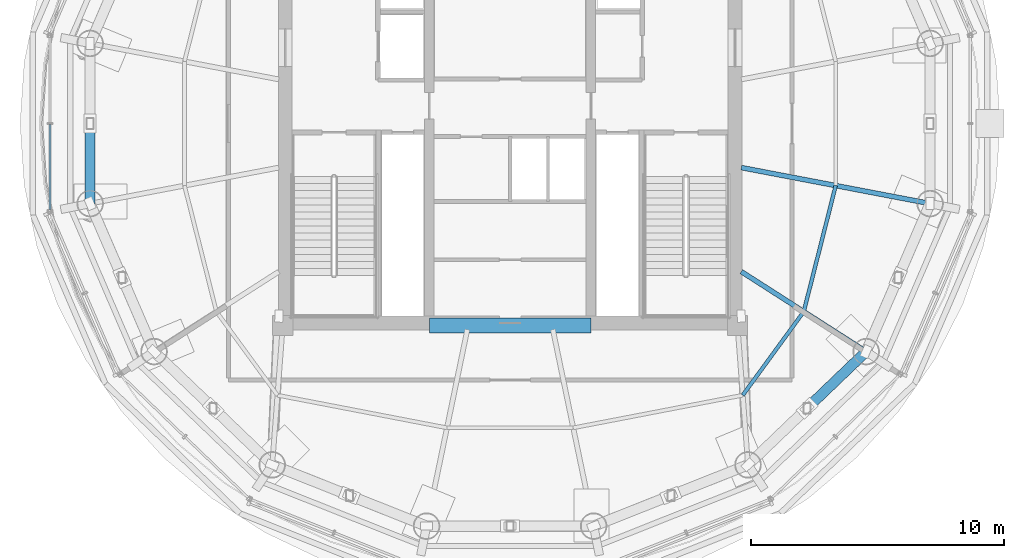
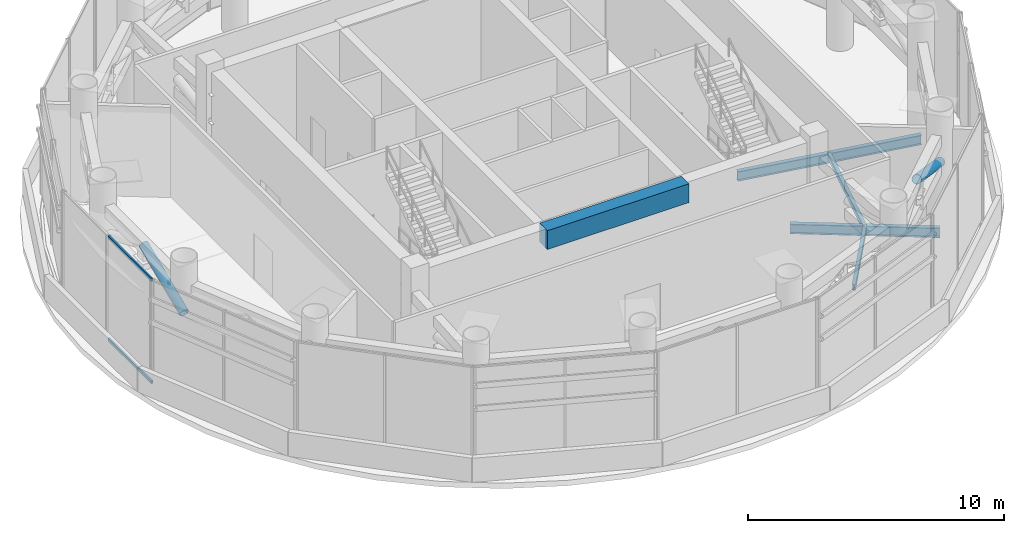
# One storey, part 6 of 21: 5 beams, 4 members, 1 element without a shape of its own.
"""IFC4 building model written with IfcOpenShell, lengths in metres."""

from ifc_helpers import new_model, si_unit, direction, frame, origin, origin_2d, place, context, subcontext, project, spatial, rectangle, hollow_rectangle, hollow_circle, i_section, extrude, source, transform, mapped, material, material_profile, profile_set, type_object, element, aggregate, save


model = new_model("IFC4")

# Units and contexts
model_context = context("Model", 3, precision=1e-05, world=origin(), true_north=direction((-0.2419218956, 0.970295726276)))
body_context = subcontext(model_context, "Body", "Model", "MODEL_VIEW")
ifc_project = project(units=[si_unit("LENGTHUNIT", "METRE"), si_unit("AREAUNIT", "SQUARE_METRE"), si_unit("VOLUMEUNIT", "CUBIC_METRE"), si_unit("PLANEANGLEUNIT", "RADIAN"), si_unit("MASSUNIT", "GRAM", prefix="KILO")], contexts=[model_context])

# Site, building, storey
site_placement = place(None, origin())
site = spatial("IfcSite", under=ifc_project, at=site_placement, CompositionType="ELEMENT")
building_placement = place(site_placement, origin())
building = spatial("IfcBuilding", under=site, at=building_placement, Name="Cobrevalo Terracotta Tower", CompositionType="ELEMENT")
storey_placement = place(building_placement, frame((0.0, 0.0, 300.699951171875)))
storey = spatial("IfcBuildingStorey", under=building, at=storey_placement, Name="L79", CompositionType="ELEMENT", Elevation=300.699951171875)

# Beams
ifc_material_1 = material(Name="Concrete C60", Category="concrete")
ifc_material_profile_1 = material_profile(ifc_material_1, rectangle(XDim=0.60009765625, YDim=0.89990234375, at=origin_2d()), Name="RC CB 600x900")
ifc_profile_set_1 = profile_set([ifc_material_profile_1], Name="Concrete C60")
beam_type_1 = type_object("IfcBeamType", Name="Structural Beam RC CB 600x900 (Concrete C60)", PredefinedType="BEAM", material=ifc_profile_set_1)
beam_1_placement = place(storey_placement, frame((34.800048828125, 18.800048828125, 4.530029296875), z_axis=(1.0, 0.0, 0.0), x_axis=(0.0, 1.0, 0.0)))
element("IfcBeam", 1, at=beam_1_placement, inside=storey, type_object=beam_type_1, Name="L79 core coupling beam 1", PredefinedType="BEAM", context=body_context, shape_type="SweptSolid", body=[
    extrude(rectangle(XDim=0.60009765625, YDim=0.89990234375, at=origin_2d()), origin(), (0.0, 0.0, 1.0), 6.39990234375),
])
ifc_material_2 = material(Name="Steel S355", Category="steel")
ifc_material_profile_2 = material_profile(ifc_material_2, i_section(OverallWidth=0.19091796875, OverallDepth=0.4599609375, WebThickness=0.010009765625, FlangeThickness=0.01611328125, at=origin_2d()), Name="W 460x82")
ifc_profile_set_2 = profile_set([ifc_material_profile_2], Name="Steel S355")
beam_type_2 = type_object("IfcBeamType", Name="Structural Beam W 460x82 (Steel S355)", PredefinedType="BEAM", material=ifc_profile_set_2)
beam_2_placement = place(storey_placement, frame((52.093505859375, 17.77197265625, -0.679931640625), z_axis=(-0.842043011216, 0.539410388538, 0.0), x_axis=(-0.539410388538, -0.842043011216, 0.0)))
element("IfcBeam", 2, at=beam_2_placement, inside=storey, type_object=beam_type_2, Name="L79 radial floor girder 15", PredefinedType="BEAM", context=body_context, shape_type="SweptSolid", body=[
    extrude(i_section(OverallWidth=0.19091796875, OverallDepth=0.4599609375, WebThickness=0.010009765625, FlangeThickness=0.01611328125, at=origin_2d()), origin(), (0.0, 0.0, 1.0), 5.864990234375),
])
beam_3_placement = place(storey_placement, frame((54.624267578125, 23.6298828125, -0.679931640625), z_axis=(-0.982299763282, 0.187315709583, 0.0), x_axis=(-0.187315709583, -0.982299763282, 0.0)))
element("IfcBeam", 3, at=beam_3_placement, inside=storey, type_object=beam_type_2, Name="L79 radial floor girder 16", PredefinedType="BEAM", context=body_context, shape_type="SweptSolid", body=[
    extrude(i_section(OverallWidth=0.19091796875, OverallDepth=0.4599609375, WebThickness=0.010009765625, FlangeThickness=0.01611328125, at=origin_2d()), origin(), (0.0, 0.0, 1.0), 7.603759765625),
])
ifc_material_profile_3 = material_profile(ifc_material_2, i_section(OverallWidth=0.14794921875, OverallDepth=0.26611328125, WebThickness=0.007568359375, FlangeThickness=0.012939453125, at=origin_2d()), Name="W 250x44.8")
ifc_profile_set_3 = profile_set([ifc_material_profile_3], Name="Steel S355")
beam_type_3 = type_object("IfcBeamType", Name="Structural Joist W 250x44.8 (Steel S355)", PredefinedType="JOIST", material=ifc_profile_set_3)
beam_4_placement = place(storey_placement, frame((47.20849609375, 16.044189453125, -0.5830078125), z_axis=(0.58957729745, 0.807711960003, 0.0), x_axis=(-0.807711960003, 0.58957729745, 0.0)))
element("IfcBeam", 4, at=beam_4_placement, inside=storey, type_object=beam_type_3, Name="L79 circumferential secondary floor joist 14", PredefinedType="JOIST", context=body_context, shape_type="SweptSolid", body=[
    extrude(i_section(OverallWidth=0.14794921875, OverallDepth=0.26611328125, WebThickness=0.007568359375, FlangeThickness=0.012939453125, at=origin_2d()), origin(), (0.0, 0.0, 1.0), 4.097412109375),
])
beam_5_placement = place(storey_placement, frame((49.624267578125, 19.353759765625, -0.5830078125), z_axis=(0.24588290489, 0.969299539401, 0.0), x_axis=(-0.969299539401, 0.24588290489, 0.0)))
element("IfcBeam", 5, at=beam_5_placement, inside=storey, type_object=beam_type_3, Name="L79 circumferential secondary floor joist 15", PredefinedType="JOIST", context=body_context, shape_type="SweptSolid", body=[
    extrude(i_section(OverallWidth=0.14794921875, OverallDepth=0.26611328125, WebThickness=0.007568359375, FlangeThickness=0.012939453125, at=origin_2d()), origin(), (0.0, 0.0, 1.0), 5.146240234375),
])

# Members
ifc_material_profile_4 = material_profile(ifc_material_2, hollow_circle(Radius=0.202880859375, WallThickness=0.01611328125, at=origin_2d()), Name="CHS 406x16")
ifc_profile_set_4 = profile_set([ifc_material_profile_4], Name="Steel S355")
member_type_1 = type_object("IfcMemberType", Name="Steel Brace CHS 406x16 (Steel S355)", PredefinedType="BRACE", material=ifc_profile_set_4)
shared_shape_1 = source(origin(), body_context, "Body", "SweptSolid", [
    extrude(hollow_circle(Radius=0.202880859375, WallThickness=0.01611328125, at=origin_2d()), origin(), (0.0, 0.0, 1.0), 3.50927734375),
])
member_1_placement = place(storey_placement, frame((52.093505859375, 17.77197265625, 2.650146484375), z_axis=(-0.66633366486, -0.638784267148, 0.384648030175), x_axis=(0.692026487512, -0.721872108189, 0.0)))
element("IfcMember", 6, at=member_1_placement, inside=storey, type_object=member_type_1, Name="L79 belt truss diagonal brace 14-D2", PredefinedType="BRACE", context=body_context, shape_type="MappedRepresentation", body=[
    mapped(shared_shape_1, transform((0.0, 0.0, 0.0), scale=1.0)),
])
shared_shape_2 = source(origin(), body_context, "Body", "SweptSolid", [
    extrude(hollow_circle(Radius=0.202880859375, WallThickness=0.01611328125, at=origin_2d()), origin(), (0.0, 0.0, 1.0), 3.445556640625),
])
member_2_placement = place(storey_placement, frame((21.375732421875, 23.6298828125, 2.650146484375), z_axis=(0.0, 0.920066075966, 0.391763214017), x_axis=(-1.0, 0.0, 0.0)))
element("IfcMember", 7, at=member_2_placement, inside=storey, type_object=member_type_1, Name="L79 belt truss diagonal brace 08-D2", PredefinedType="BRACE", context=body_context, shape_type="MappedRepresentation", body=[
    mapped(shared_shape_2, transform((0.0, 0.0, 0.0), scale=1.0)),
])

# Curtain wall, members
ifc_material_3 = material(Name="Anodized aluminium", Category="aluminium")
curtain_wall_type = type_object("IfcCurtainWallType", Name="Belt-truss plant acoustic weather-louvre curtain wall CW-LV", PredefinedType="NOTDEFINED", material=ifc_material_3)
curtain_wall_placement = place(storey_placement, origin())
curtain_wall = element("IfcCurtainWall", 8, at=curtain_wall_placement, inside=storey, type_object=curtain_wall_type, Name="L79 curtain wall CW-LV-L79-S08", PredefinedType="NOTDEFINED")
ifc_material_profile_5 = material_profile(ifc_material_3, hollow_rectangle(XDim=0.074951171875, YDim=0.14990234375, WallThickness=0.00439453125, at=origin_2d()), Name="CWT 75x150")
ifc_profile_set_5 = profile_set([ifc_material_profile_5], Name="Anodized aluminium")
member_type_2 = type_object("IfcMemberType", Name="Tower unitised aluminium transom 75x150", PredefinedType="USERDEFINED", material=ifc_profile_set_5)
shared_shape_3 = source(origin(), body_context, "Body", "SweptSolid", [
    extrude(hollow_rectangle(XDim=0.074951171875, YDim=0.14990234375, WallThickness=0.00439453125, at=origin_2d()), origin(), (0.0, 0.0, 1.0), 3.3662109375),
])
member_3_placement = place(storey_placement, frame((19.786865234375, 26.760009765625, 0.050048828125), z_axis=(0.0, -1.0, 0.0), x_axis=(1.0, 0.0, 0.0)))
member_3 = element("IfcMember", 9, at=member_3_placement, type_object=member_type_2, Name="CW-LV-L79-S08 transom B02-T1", ObjectType="TRANSOM", PredefinedType="USERDEFINED", context=body_context, shape_type="MappedRepresentation", body=[
    mapped(shared_shape_3, transform((0.0, 0.0, 0.0), scale=1.0)),
])
member_4_placement = place(storey_placement, frame((19.786865234375, 26.760009765625, 4.929931640625), z_axis=(0.0, -1.0, 0.0), x_axis=(1.0, 0.0, 0.0)))
member_4 = element("IfcMember", 10, at=member_4_placement, type_object=member_type_2, Name="CW-LV-L79-S08 transom B02-T2", ObjectType="TRANSOM", PredefinedType="USERDEFINED", context=body_context, shape_type="MappedRepresentation", body=[
    mapped(shared_shape_3, transform((0.0, 0.0, 0.0), scale=1.0)),
])
aggregate(curtain_wall, [member_3, member_4])

save(model, "model.ifc")
